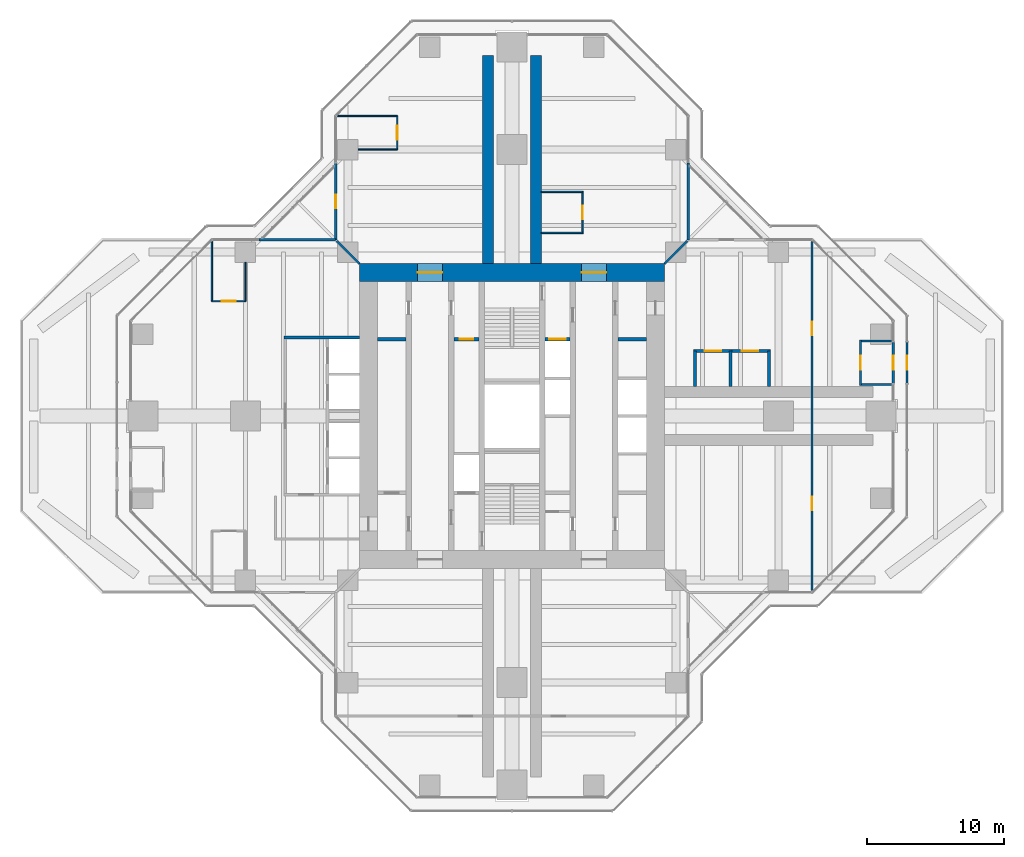
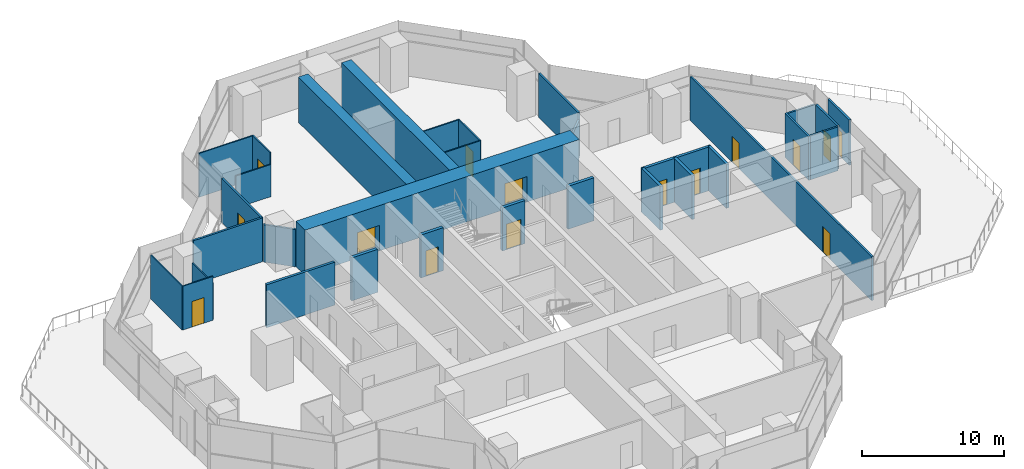
# One storey, part 16 of 19: 33 walls, 15 doors, 15 openings.
"""IFC4 building model written with IfcOpenShell, lengths in metres."""

from ifc_helpers import new_model, si_unit, direction, frame, frame_2d, origin, place, context, subcontext, project, spatial, rectangle, extrude, material, layer, layer_set, type_object, element, fill, save


model = new_model("IFC4")

# Units and contexts
model_context = context("Model", 3, precision=1e-05, world=origin(), true_north=direction((0.0, 1.0)))
body_context = subcontext(model_context, "Body", "Model", "MODEL_VIEW")
ifc_project = project(units=[si_unit("LENGTHUNIT", "METRE"), si_unit("AREAUNIT", "SQUARE_METRE"), si_unit("VOLUMEUNIT", "CUBIC_METRE"), si_unit("PLANEANGLEUNIT", "RADIAN"), si_unit("MASSUNIT", "GRAM", prefix="KILO")], contexts=[model_context])

# Site, building, storey
site_placement = place(None, origin())
site = spatial("IfcSite", under=ifc_project, at=site_placement, CompositionType="ELEMENT")
building_placement = place(site_placement, origin())
building = spatial("IfcBuilding", under=site, at=building_placement, Name="Mizan Broadcast Tower", CompositionType="ELEMENT")
storey_placement = place(building_placement, frame((0.0, 0.0, 204.89990234375)))
storey = spatial("IfcBuildingStorey", under=building, at=storey_placement, Name="L47", CompositionType="ELEMENT", Elevation=204.89990234375)

# Wall, openings, doors
ifc_material_1 = material(Name="Concrete C70/85", Category="concrete")
ifc_layer_1 = layer(ifc_material_1, 1.300048828125)
ifc_layer_set_1 = layer_set([ifc_layer_1], Name="Concrete C70/85")
wall_type_1 = type_object("IfcWallType", Name="CORE WALL 1300", PredefinedType="SHEAR", material=ifc_layer_set_1)
wall_1_placement = place(storey_placement, frame((-11.14990234375, 10.5, 0.0), z_axis=(0.0, 0.0, 1.0), x_axis=(1.0, 0.0, 0.0)))
wall_1 = element("IfcWall", 1, at=wall_1_placement, inside=storey, type_object=wall_type_1, Name="Core wall N L47", PredefinedType="SHEAR", context=body_context, shape_type="SweptSolid", body=[
    extrude(rectangle(XDim=22.2998046875, YDim=1.300048828125, at=frame_2d((11.14990234375, 0.0))), origin(), (0.0, 0.0, 1.0), 3.900146484375),
])
opening_1_placement = place(wall_1_placement, frame((4.25, 0.0, 0.0)))
opening_1 = element("IfcOpeningElement", 2, at=opening_1_placement, cuts=wall_1, Name="Opening D18F", PredefinedType="OPENING", context=body_context, shape_type="SweptSolid", body=[
    extrude(rectangle(XDim=1.800048828125, YDim=2.199951171875, at=frame_2d((0.89990234375, 1.10009765625))), frame((0.0, 0.659912109375, 0.0), z_axis=(0.0, -1.0, 0.0), x_axis=(1.0, 0.0, 0.0)), (0.0, 0.0, 1.0), 1.320068359375),
])
opening_2_placement = place(wall_1_placement, frame((16.25, 0.0, 0.0)))
opening_2 = element("IfcOpeningElement", 3, at=opening_2_placement, cuts=wall_1, Name="Opening D18F", PredefinedType="OPENING", context=body_context, shape_type="SweptSolid", body=[
    extrude(rectangle(XDim=1.800048828125, YDim=2.199951171875, at=frame_2d((0.89990234375, 1.10009765625))), frame((0.0, 0.659912109375, 0.0), z_axis=(0.0, -1.0, 0.0), x_axis=(1.0, 0.0, 0.0)), (0.0, 0.0, 1.0), 1.320068359375),
])
ifc_material_2 = material(Name="Steel door leaf in steel frame", Category="steel")
door_type_1 = type_object("IfcDoorType", Name="LOBBY DOUBLE DOOR 1800 FD90", OperationType="DOUBLE_DOOR_DOUBLE_SWING", PredefinedType="DOOR", material=ifc_material_2)
door_1_placement = place(opening_1_placement, origin())
door_1 = element("IfcDoor", 4, at=door_1_placement, inside=storey, type_object=door_type_1, Name="West lift lobby north door", OperationType="DOUBLE_DOOR_DOUBLE_SWING", OverallHeight=2.199951171875, OverallWidth=1.800048828125, PredefinedType="DOOR", context=body_context, shape_type="SweptSolid", body=[
    extrude(rectangle(XDim=1.800048828125, YDim=2.199951171875, at=frame_2d((0.89990234375, 1.10009765625))), frame((0.0, 0.02490234375, 0.0), z_axis=(0.0, -1.0, 0.0), x_axis=(1.0, 0.0, 0.0)), (0.0, 0.0, 1.0), 0.050048828125),
])
fill(opening_1, door_1)
door_2_placement = place(opening_2_placement, origin())
door_2 = element("IfcDoor", 5, at=door_2_placement, inside=storey, type_object=door_type_1, Name="East lift lobby north door", OperationType="DOUBLE_DOOR_DOUBLE_SWING", OverallHeight=2.199951171875, OverallWidth=1.800048828125, PredefinedType="DOOR", context=body_context, shape_type="SweptSolid", body=[
    extrude(rectangle(XDim=1.800048828125, YDim=2.199951171875, at=frame_2d((0.89990234375, 1.10009765625))), frame((0.0, 0.02490234375, 0.0), z_axis=(0.0, -1.0, 0.0), x_axis=(1.0, 0.0, 0.0)), (0.0, 0.0, 1.0), 0.050048828125),
])
fill(opening_2, door_2)

# Wall, opening, door
ifc_material_3 = material(Name="Aluminium framed glazed screen", Category="aluminium")
ifc_layer_2 = layer(ifc_material_3, 0.159912109375)
ifc_layer_set_2 = layer_set([ifc_layer_2], Name="Aluminium framed glazed screen")
wall_type_2 = type_object("IfcWallType", Name="GLAZED SCREEN WALL 160", PredefinedType="SOLIDWALL", material=ifc_layer_set_2)
wall_2_placement = place(storey_placement, frame((27.89990234375, 2.39990234375, 0.0), z_axis=(0.0, 0.0, 1.0), x_axis=(0.0, 1.0, 0.0)))
wall_2 = element("IfcWall", 6, at=wall_2_placement, inside=storey, type_object=wall_type_2, Name="Roof access screen wall L47 E", PredefinedType="SOLIDWALL", context=body_context, shape_type="SweptSolid", body=[
    extrude(rectangle(XDim=3.0, YDim=0.159912109375, at=frame_2d((1.5, 0.0))), origin(), (0.0, 0.0, 1.0), 3.77001953125),
])
opening_3_placement = place(wall_2_placement, frame((1.0, 0.0, 0.0)))
opening_3 = element("IfcOpeningElement", 7, at=opening_3_placement, cuts=wall_2, Name="Opening RA", PredefinedType="OPENING", context=body_context, shape_type="SweptSolid", body=[
    extrude(rectangle(XDim=1.0, YDim=2.199951171875, at=frame_2d((0.5, 1.10009765625))), frame((0.0, 0.08984375, 0.0), z_axis=(0.0, -1.0, 0.0), x_axis=(1.0, 0.0, 0.0)), (0.0, 0.0, 1.0), 0.179931640625),
])
ifc_material_4 = material(Name="Steel door", Category="steel")
door_type_2 = type_object("IfcDoorType", Name="ROOF ACCESS DOOR 1000", OperationType="SINGLE_SWING_LEFT", PredefinedType="DOOR", material=ifc_material_4)
door_3_placement = place(opening_3_placement, origin())
door_3 = element("IfcDoor", 8, at=door_3_placement, inside=storey, type_object=door_type_2, Name="Roof access door L47 E", OperationType="SINGLE_SWING_LEFT", OverallHeight=2.199951171875, OverallWidth=1.0, PredefinedType="DOOR", context=body_context, shape_type="SweptSolid", body=[
    extrude(rectangle(XDim=1.0, YDim=2.199951171875, at=frame_2d((0.5, 1.10009765625))), frame((0.0, 0.02490234375, 0.0), z_axis=(0.0, -1.0, 0.0), x_axis=(1.0, 0.0, 0.0)), (0.0, 0.0, 1.0), 0.050048828125),
])
fill(opening_3, door_3)

# Wall
wall_3_placement = place(storey_placement, frame((12.89990234375, 12.89990234375, 0.0), z_axis=(0.0, 0.0, 1.0), x_axis=(0.0, 1.0, 0.0)))
element("IfcWall", 9, at=wall_3_placement, inside=storey, type_object=wall_type_2, Name="Winter garden screen L47 N", PredefinedType="SOLIDWALL", context=body_context, shape_type="SweptSolid", body=[
    extrude(rectangle(XDim=5.60009765625, YDim=0.159912109375, at=frame_2d((2.800048828125, 0.0))), origin(), (0.0, 0.0, 1.0), 3.77001953125),
])

# Wall, opening, door
wall_4_placement = place(storey_placement, frame((-12.89990234375, 18.5, 0.0), z_axis=(0.0, 0.0, 1.0), x_axis=(0.0, -1.0, 0.0)))
wall_4 = element("IfcWall", 10, at=wall_4_placement, inside=storey, type_object=wall_type_2, Name="Winter garden screen L47 N", PredefinedType="SOLIDWALL", context=body_context, shape_type="SweptSolid", body=[
    extrude(rectangle(XDim=5.60009765625, YDim=0.159912109375, at=frame_2d((2.800048828125, 0.0))), origin(), (0.0, 0.0, 1.0), 3.77001953125),
])
opening_4_placement = place(wall_4_placement, frame((2.300048828125, 0.0, 0.0)))
opening_4 = element("IfcOpeningElement", 11, at=opening_4_placement, cuts=wall_4, Name="Opening WGD", PredefinedType="OPENING", context=body_context, shape_type="SweptSolid", body=[
    extrude(rectangle(XDim=1.0, YDim=2.199951171875, at=frame_2d((0.5, 1.10009765625))), frame((0.0, 0.08984375, 0.0), z_axis=(0.0, -1.0, 0.0), x_axis=(1.0, 0.0, 0.0)), (0.0, 0.0, 1.0), 0.179931640625),
])
ifc_material_5 = material(Name="Aluminium framed glazed door", Category="aluminium")
door_type_3 = type_object("IfcDoorType", Name="WINTER GARDEN DOOR 1000 GLAZED", OperationType="SINGLE_SWING_LEFT", PredefinedType="DOOR", material=ifc_material_5)
door_4_placement = place(opening_4_placement, origin())
door_4 = element("IfcDoor", 12, at=door_4_placement, inside=storey, type_object=door_type_3, Name="Winter garden door L47 N", OperationType="SINGLE_SWING_RIGHT", OverallHeight=2.199951171875, OverallWidth=1.0, PredefinedType="DOOR", context=body_context, shape_type="SweptSolid", body=[
    extrude(rectangle(XDim=1.0, YDim=2.199951171875, at=frame_2d((0.5, 1.10009765625))), frame((0.0, 0.02490234375, 0.0), z_axis=(0.0, -1.0, 0.0), x_axis=(1.0, 0.0, 0.0)), (0.0, 0.0, 1.0), 0.050048828125),
])
fill(opening_4, door_4)

# Walls
wall_5_placement = place(storey_placement, frame((-12.89990234375, 12.89990234375, 0.0), z_axis=(0.0, 0.0, 1.0), x_axis=(-1.0, 0.0, 0.0)))
element("IfcWall", 13, at=wall_5_placement, inside=storey, type_object=wall_type_2, Name="Winter garden screen L47 W", PredefinedType="SOLIDWALL", context=body_context, shape_type="SweptSolid", body=[
    extrude(rectangle(XDim=5.60009765625, YDim=0.159912109375, at=frame_2d((2.800048828125, 0.0))), origin(), (0.0, 0.0, 1.0), 3.77001953125),
])
ifc_material_6 = material(Name="Concrete blockwork", Category="masonry")
ifc_layer_3 = layer(ifc_material_6, 0.199951171875)
ifc_layer_set_3 = layer_set([ifc_layer_3], Name="Concrete blockwork")
wall_type_3 = type_object("IfcWallType", Name="LIFT SHAFT WALL 200", PredefinedType="SOLIDWALL", material=ifc_layer_set_3)
wall_6_placement = place(storey_placement, frame((-11.14990234375, 5.75, 0.0), z_axis=(0.0, 0.0, 1.0), x_axis=(-1.0, 0.0, 0.0)))
element("IfcWall", 14, at=wall_6_placement, inside=storey, type_object=wall_type_3, Name="Lift shaft wall LC/S1", PredefinedType="SOLIDWALL", context=body_context, shape_type="SweptSolid", body=[
    extrude(rectangle(XDim=5.550048828125, YDim=0.199951171875, at=frame_2d((2.77490234375, 0.0))), origin(), (0.0, 0.0, 1.0), 3.7001953125),
])
ifc_material_7 = material(Name="Concrete blockwork", Category="masonry")
ifc_layer_4 = layer(ifc_material_7, 0.25)
ifc_layer_set_4 = layer_set([ifc_layer_4], Name="Concrete blockwork")
wall_type_4 = type_object("IfcWallType", Name="LOBBY ENCLOSURE WALL 250", PredefinedType="SOLIDWALL", material=ifc_layer_set_4)
wall_7_placement = place(storey_placement, frame((-9.85009765625, 5.625, 0.0), z_axis=(0.0, 0.0, 1.0), x_axis=(1.0, 0.0, 0.0)))
element("IfcWall", 15, at=wall_7_placement, inside=storey, type_object=wall_type_4, Name="Lobby enclosure wall CORE/BW1N", PredefinedType="SOLIDWALL", context=body_context, shape_type="SweptSolid", body=[
    extrude(rectangle(XDim=2.10009765625, YDim=0.25, at=frame_2d((1.050048828125, 0.0))), origin(), (0.0, 0.0, 1.0), 3.7001953125),
])

# Wall, opening, door
wall_8_placement = place(storey_placement, frame((-4.25, 5.625, 0.0), z_axis=(0.0, 0.0, 1.0), x_axis=(1.0, 0.0, 0.0)))
wall_8 = element("IfcWall", 16, at=wall_8_placement, inside=storey, type_object=wall_type_4, Name="Lobby enclosure wall CORE/BW2N", PredefinedType="SOLIDWALL", context=body_context, shape_type="SweptSolid", body=[
    extrude(rectangle(XDim=1.85009765625, YDim=0.25, at=frame_2d((0.925048828125, 0.0))), origin(), (0.0, 0.0, 1.0), 3.7001953125),
])
opening_5_placement = place(wall_8_placement, frame((0.425048828125, 0.0, 0.0)))
opening_5 = element("IfcOpeningElement", 17, at=opening_5_placement, cuts=wall_8, Name="Opening D10F", PredefinedType="OPENING", context=body_context, shape_type="SweptSolid", body=[
    extrude(rectangle(XDim=1.0, YDim=2.199951171875, at=frame_2d((0.5, 1.10009765625))), frame((0.0, 0.135009765625, 0.0), z_axis=(0.0, -1.0, 0.0), x_axis=(1.0, 0.0, 0.0)), (0.0, 0.0, 1.0), 0.27001953125),
])
ifc_material_8 = material(Name="Steel door leaf in steel frame", Category="steel")
door_type_4 = type_object("IfcDoorType", Name="FIRE DOOR 1000 FD90", OperationType="SINGLE_SWING_LEFT", PredefinedType="DOOR", material=ifc_material_8)
door_5_placement = place(opening_5_placement, origin())
door_5 = element("IfcDoor", 18, at=door_5_placement, inside=storey, type_object=door_type_4, Name="Accessible shower room door", OperationType="SINGLE_SWING_RIGHT", OverallHeight=2.199951171875, OverallWidth=1.0, PredefinedType="DOOR", context=body_context, shape_type="SweptSolid", body=[
    extrude(rectangle(XDim=1.0, YDim=2.199951171875, at=frame_2d((0.5, 1.10009765625))), frame((0.0, 0.02490234375, 0.0), z_axis=(0.0, -1.0, 0.0), x_axis=(1.0, 0.0, 0.0)), (0.0, 0.0, 1.0), 0.050048828125),
])
fill(opening_5, door_5)

wall_9_placement = place(storey_placement, frame((2.39990234375, 5.625, 0.0), z_axis=(0.0, 0.0, 1.0), x_axis=(1.0, 0.0, 0.0)))
wall_9 = element("IfcWall", 19, at=wall_9_placement, inside=storey, type_object=wall_type_4, Name="Lobby enclosure wall CORE/BE2N", PredefinedType="SOLIDWALL", context=body_context, shape_type="SweptSolid", body=[
    extrude(rectangle(XDim=1.85009765625, YDim=0.25, at=frame_2d((0.925048828125, 0.0))), origin(), (0.0, 0.0, 1.0), 3.7001953125),
])
opening_6_placement = place(wall_9_placement, frame((0.324951171875, 0.0, 0.0)))
opening_6 = element("IfcOpeningElement", 20, at=opening_6_placement, cuts=wall_9, Name="Opening LDF", PredefinedType="OPENING", context=body_context, shape_type="SweptSolid", body=[
    extrude(rectangle(XDim=1.199951171875, YDim=2.199951171875, at=frame_2d((0.60009765625, 1.10009765625))), frame((0.0, 0.135009765625, 0.0), z_axis=(0.0, -1.0, 0.0), x_axis=(1.0, 0.0, 0.0)), (0.0, 0.0, 1.0), 0.27001953125),
])
ifc_material_9 = material(Name="Steel door leaf in steel frame", Category="steel")
door_type_5 = type_object("IfcDoorType", Name="FIREFIGHTING LIFT LANDING DOOR 1200", OperationType="SLIDING_TO_LEFT", PredefinedType="DOOR", material=ifc_material_9)
door_6_placement = place(opening_6_placement, origin())
door_6 = element("IfcDoor", 21, at=door_6_placement, inside=storey, type_object=door_type_5, Name="Landing door FF2", OperationType="SLIDING_TO_LEFT", OverallHeight=2.199951171875, OverallWidth=1.199951171875, PredefinedType="DOOR", context=body_context, shape_type="SweptSolid", body=[
    extrude(rectangle(XDim=1.199951171875, YDim=2.199951171875, at=frame_2d((0.60009765625, 1.10009765625))), frame((0.0, 0.02490234375, 0.0), z_axis=(0.0, -1.0, 0.0), x_axis=(1.0, 0.0, 0.0)), (0.0, 0.0, 1.0), 0.050048828125),
])
fill(opening_6, door_6)

# Wall
wall_10_placement = place(storey_placement, frame((7.75, 5.625, 0.0), z_axis=(0.0, 0.0, 1.0), x_axis=(1.0, 0.0, 0.0)))
element("IfcWall", 22, at=wall_10_placement, inside=storey, type_object=wall_type_4, Name="Lobby enclosure wall CORE/BE1N", PredefinedType="SOLIDWALL", context=body_context, shape_type="SweptSolid", body=[
    extrude(rectangle(XDim=2.10009765625, YDim=0.25, at=frame_2d((1.050048828125, 0.0))), origin(), (0.0, 0.0, 1.0), 3.7001953125),
])

# Wall, opening, door
ifc_material_10 = material(Name="Aluminium framed glazed screen", Category="aluminium")
ifc_layer_5 = layer(ifc_material_10, 0.159912109375)
ifc_layer_set_5 = layer_set([ifc_layer_5], Name="Aluminium framed glazed screen")
wall_type_5 = type_object("IfcWallType", Name="OUTER SKIN DOOR SCREEN 160", PredefinedType="SOLIDWALL", material=ifc_layer_set_5)
wall_11_placement = place(storey_placement, frame((28.89990234375, 5.39990234375, 0.0), z_axis=(0.0, 0.0, 1.0), x_axis=(0.0, -1.0, 0.0)))
wall_11 = element("IfcWall", 23, at=wall_11_placement, inside=storey, type_object=wall_type_5, Name="Outer skin roof access screen L47 E", PredefinedType="SOLIDWALL", context=body_context, shape_type="SweptSolid", body=[
    extrude(rectangle(XDim=3.0, YDim=0.159912109375, at=frame_2d((1.5, 0.0))), origin(), (0.0, 0.0, 1.0), 3.900146484375),
])
opening_7_placement = place(wall_11_placement, frame((1.0, 0.0, 0.0)))
opening_7 = element("IfcOpeningElement", 24, at=opening_7_placement, cuts=wall_11, Name="Opening RA", PredefinedType="OPENING", context=body_context, shape_type="SweptSolid", body=[
    extrude(rectangle(XDim=1.0, YDim=2.199951171875, at=frame_2d((0.5, 1.10009765625))), frame((0.0, 0.08984375, 0.0), z_axis=(0.0, -1.0, 0.0), x_axis=(1.0, 0.0, 0.0)), (0.0, 0.0, 1.0), 0.179931640625),
])
door_7_placement = place(opening_7_placement, origin())
door_7 = element("IfcDoor", 25, at=door_7_placement, inside=storey, type_object=door_type_2, Name="Roof access door L47 E outer skin", OperationType="SINGLE_SWING_RIGHT", OverallHeight=2.199951171875, OverallWidth=1.0, PredefinedType="DOOR", context=body_context, shape_type="SweptSolid", body=[
    extrude(rectangle(XDim=1.0, YDim=2.199951171875, at=frame_2d((0.5, 1.10009765625))), frame((0.0, 0.02490234375, 0.0), z_axis=(0.0, -1.0, 0.0), x_axis=(1.0, 0.0, 0.0)), (0.0, 0.0, 1.0), 0.050048828125),
])
fill(opening_7, door_7)

# Wall, openings, doors
ifc_material_11 = material(Name="Gypsum board on steel studs", Category="steel")
ifc_layer_6 = layer(ifc_material_11, 0.14990234375)
ifc_layer_set_6 = layer_set([ifc_layer_6], Name="Gypsum board on steel studs")
wall_type_6 = type_object("IfcWallType", Name="PARTITION 150", PredefinedType="PARTITIONING", material=ifc_layer_set_6)
wall_12_placement = place(storey_placement, frame((21.958984375, -12.786376953125, 0.0), z_axis=(0.0, 0.0, 1.0), x_axis=(0.0, 1.0, 0.0)))
wall_12 = element("IfcWall", 26, at=wall_12_placement, inside=storey, type_object=wall_type_6, Name="Partition PT/EX1", PredefinedType="PARTITIONING", context=body_context, shape_type="SweptSolid", body=[
    extrude(rectangle(XDim=25.57275390625, YDim=0.14990234375, at=frame_2d((12.786376953125, 0.0))), origin(), (0.0, 0.0, 1.0), 3.77001953125),
])
opening_8_placement = place(wall_12_placement, frame((18.6865234375, 0.0, 0.0)))
opening_8 = element("IfcOpeningElement", 27, at=opening_8_placement, cuts=wall_12, Name="Opening D10", PredefinedType="OPENING", context=body_context, shape_type="SweptSolid", body=[
    extrude(rectangle(XDim=1.0, YDim=2.199951171875, at=frame_2d((0.5, 1.10009765625))), frame((0.0, 0.0849609375, 0.0), z_axis=(0.0, -1.0, 0.0), x_axis=(1.0, 0.0, 0.0)), (0.0, 0.0, 1.0), 0.169921875),
])
opening_9_placement = place(wall_12_placement, frame((5.886474609375, 0.0, 0.0)))
opening_9 = element("IfcOpeningElement", 28, at=opening_9_placement, cuts=wall_12, Name="Opening D10", PredefinedType="OPENING", context=body_context, shape_type="SweptSolid", body=[
    extrude(rectangle(XDim=1.0, YDim=2.199951171875, at=frame_2d((0.5, 1.10009765625))), frame((0.0, 0.0849609375, 0.0), z_axis=(0.0, -1.0, 0.0), x_axis=(1.0, 0.0, 0.0)), (0.0, 0.0, 1.0), 0.169921875),
])
ifc_material_12 = material(Name="Timber door leaf in aluminium frame", Category="wood")
door_type_6 = type_object("IfcDoorType", Name="ROOM DOOR 1000", OperationType="SINGLE_SWING_LEFT", PredefinedType="DOOR", material=ifc_material_12)
door_8_placement = place(opening_8_placement, origin())
door_8 = element("IfcDoor", 29, at=door_8_placement, inside=storey, type_object=door_type_6, Name="Meeting room door", OperationType="SINGLE_SWING_RIGHT", OverallHeight=2.199951171875, OverallWidth=1.0, PredefinedType="DOOR", context=body_context, shape_type="SweptSolid", body=[
    extrude(rectangle(XDim=1.0, YDim=2.199951171875, at=frame_2d((0.5, 1.10009765625))), frame((0.0, 0.02490234375, 0.0), z_axis=(0.0, -1.0, 0.0), x_axis=(1.0, 0.0, 0.0)), (0.0, 0.0, 1.0), 0.050048828125),
])
fill(opening_8, door_8)
door_9_placement = place(opening_9_placement, origin())
door_9 = element("IfcDoor", 30, at=door_9_placement, inside=storey, type_object=door_type_6, Name="Meeting room door", OperationType="SINGLE_SWING_LEFT", OverallHeight=2.199951171875, OverallWidth=1.0, PredefinedType="DOOR", context=body_context, shape_type="SweptSolid", body=[
    extrude(rectangle(XDim=1.0, YDim=2.199951171875, at=frame_2d((0.5, 1.10009765625))), frame((0.0, 0.02490234375, 0.0), z_axis=(0.0, -1.0, 0.0), x_axis=(1.0, 0.0, 0.0)), (0.0, 0.0, 1.0), 0.050048828125),
])
fill(opening_9, door_9)

# Wall, opening, door
wall_13_placement = place(storey_placement, frame((25.4951171875, 2.22509765625, 0.0), z_axis=(0.0, 0.0, 1.0), x_axis=(0.0, 1.0, 0.0)))
wall_13 = element("IfcWall", 31, at=wall_13_placement, inside=storey, type_object=wall_type_6, Name="Partition PT/EFMU", PredefinedType="PARTITIONING", context=body_context, shape_type="SweptSolid", body=[
    extrude(rectangle(XDim=3.349853515625, YDim=0.14990234375, at=frame_2d((1.6748046875, 0.0))), origin(), (0.0, 0.0, 1.0), 3.77001953125),
])
opening_10_placement = place(wall_13_placement, frame((1.175048828125, 0.0, 0.0)))
opening_10 = element("IfcOpeningElement", 32, at=opening_10_placement, cuts=wall_13, Name="Opening D10O", PredefinedType="OPENING", context=body_context, shape_type="SweptSolid", body=[
    extrude(rectangle(XDim=1.0, YDim=2.199951171875, at=frame_2d((0.5, 1.10009765625))), frame((0.0, 0.0849609375, 0.0), z_axis=(0.0, -1.0, 0.0), x_axis=(1.0, 0.0, 0.0)), (0.0, 0.0, 1.0), 0.169921875),
])
ifc_material_13 = material(Name="Timber door leaf in aluminium frame", Category="wood")
door_type_7 = type_object("IfcDoorType", Name="OFFICE DOOR 1000 GLAZED", OperationType="SINGLE_SWING_LEFT", PredefinedType="DOOR", material=ifc_material_13)
door_10_placement = place(opening_10_placement, origin())
door_10 = element("IfcDoor", 33, at=door_10_placement, inside=storey, type_object=door_type_7, Name="Facade maintenance store E door", OperationType="SINGLE_SWING_LEFT", OverallHeight=2.199951171875, OverallWidth=1.0, PredefinedType="DOOR", context=body_context, shape_type="SweptSolid", body=[
    extrude(rectangle(XDim=1.0, YDim=2.199951171875, at=frame_2d((0.5, 1.10009765625))), frame((0.0, 0.02490234375, 0.0), z_axis=(0.0, -1.0, 0.0), x_axis=(1.0, 0.0, 0.0)), (0.0, 0.0, 1.0), 0.050048828125),
])
fill(opening_10, door_10)

# Walls
for number, where, z_axis, x_axis, name in (
    (34, (25.570068359375, 2.300048828125, 0.0), (0.0, 0.0, 1.0), (1.0, 0.0, 0.0), "Partition PT/EFMN"),
    (35, (25.570068359375, 5.5, 0.0), (0.0, 0.0, 1.0), (1.0, 0.0, 0.0), "Partition PT/EFMP"),
):
    element("IfcWall", number, at=place(storey_placement, frame(where, z_axis=z_axis, x_axis=x_axis)), inside=storey, type_object=wall_type_6, Name=name, PredefinedType="PARTITIONING", context=body_context, shape_type="SweptSolid", body=[
        extrude(rectangle(XDim=2.25, YDim=0.14990234375, at=frame_2d((1.125, 0.0))), origin(), (0.0, 0.0, 1.0), 3.77001953125),
    ])
for number, where, z_axis, x_axis, name in (
    (36, (11.14990234375, 11.14990234375, 0.0), (0.0, 0.0, 1.0), (0.707106781187, 0.707106781187, 0.0), "Partition PT/DGEN"),
    (37, (-11.14990234375, 11.14990234375, 0.0), (0.0, 0.0, 1.0), (-0.707106781187, 0.707106781187, 0.0), "Partition PT/DGWN"),
):
    element("IfcWall", number, at=place(storey_placement, frame(where, z_axis=z_axis, x_axis=x_axis)), inside=storey, type_object=wall_type_6, Name=name, PredefinedType="PARTITIONING", context=body_context, shape_type="SweptSolid", body=[
        extrude(rectangle(XDim=2.362060546875, YDim=0.14990234375, at=frame_2d((1.18115234375, 0.0))), origin(), (0.0, 0.0, 1.0), 3.22021484375),
    ])
ifc_material_14 = material(Name="Twin steel stud acoustic partition, four layers of gypsum board", Category="steel")
ifc_layer_7 = layer(ifc_material_14, 0.22509765625)
ifc_layer_set_7 = layer_set([ifc_layer_7], Name="Twin steel stud acoustic partition, four layers of gypsum board")
wall_type_7 = type_object("IfcWallType", Name="PARTITION ACOUSTIC 225", PredefinedType="PARTITIONING", material=ifc_layer_set_7)
for number, where, z_axis, x_axis, name in (
    (38, (13.39990234375, 2.14990234375, 0.0), (0.0, 0.0, 1.0), (0.0, 1.0, 0.0), "Acoustic partition PT/EKP0a"),
    (39, (16.0, 2.14990234375, 0.0), (0.0, 0.0, 1.0), (0.0, 1.0, 0.0), "Acoustic partition PT/EKP0b"),
):
    element("IfcWall", number, at=place(storey_placement, frame(where, z_axis=z_axis, x_axis=x_axis)), inside=storey, type_object=wall_type_7, Name=name, PredefinedType="PARTITIONING", context=body_context, shape_type="SweptSolid", body=[
        extrude(rectangle(XDim=2.60009765625, YDim=0.22509765625, at=frame_2d((1.300048828125, 0.0))), origin(), (0.0, 0.0, 1.0), 3.77001953125),
    ])

# Wall, opening, door
wall_14_placement = place(storey_placement, frame((13.28759765625, 4.75, 0.0), z_axis=(0.0, 0.0, 1.0), x_axis=(1.0, 0.0, 0.0)))
wall_14 = element("IfcWall", 40, at=wall_14_placement, inside=storey, type_object=wall_type_7, Name="Acoustic partition PT/EKP0f", PredefinedType="PARTITIONING", context=body_context, shape_type="SweptSolid", body=[
    extrude(rectangle(XDim=2.824951171875, YDim=0.22509765625, at=frame_2d((1.41259765625, 0.0))), origin(), (0.0, 0.0, 1.0), 3.77001953125),
])
opening_11_placement = place(wall_14_placement, frame((0.8125, 0.0, 0.0)))
opening_11 = element("IfcOpeningElement", 41, at=opening_11_placement, cuts=wall_14, Name="Opening D12A", PredefinedType="OPENING", context=body_context, shape_type="SweptSolid", body=[
    extrude(rectangle(XDim=1.199951171875, YDim=2.199951171875, at=frame_2d((0.60009765625, 1.10009765625))), frame((0.0, 0.12255859375, 0.0), z_axis=(0.0, -1.0, 0.0), x_axis=(1.0, 0.0, 0.0)), (0.0, 0.0, 1.0), 0.2451171875),
])
ifc_material_15 = material(Name="Timber door leaf in aluminium frame", Category="wood")
door_type_8 = type_object("IfcDoorType", Name="ACOUSTIC DOOR 1200", OperationType="SINGLE_SWING_LEFT", PredefinedType="DOOR", material=ifc_material_15)
door_11_placement = place(opening_11_placement, origin())
door_11 = element("IfcDoor", 42, at=door_11_placement, inside=storey, type_object=door_type_8, Name="Radio booth door", OperationType="SINGLE_SWING_LEFT", OverallHeight=2.199951171875, OverallWidth=1.199951171875, PredefinedType="DOOR", context=body_context, shape_type="SweptSolid", body=[
    extrude(rectangle(XDim=1.199951171875, YDim=2.199951171875, at=frame_2d((0.60009765625, 1.10009765625))), frame((0.0, 0.02490234375, 0.0), z_axis=(0.0, -1.0, 0.0), x_axis=(1.0, 0.0, 0.0)), (0.0, 0.0, 1.0), 0.050048828125),
])
fill(opening_11, door_11)

# Wall
wall_15_placement = place(storey_placement, frame((18.800048828125, 2.14990234375, 0.0), z_axis=(0.0, 0.0, 1.0), x_axis=(0.0, 1.0, 0.0)))
element("IfcWall", 43, at=wall_15_placement, inside=storey, type_object=wall_type_7, Name="Acoustic partition PT/EKP1b", PredefinedType="PARTITIONING", context=body_context, shape_type="SweptSolid", body=[
    extrude(rectangle(XDim=2.60009765625, YDim=0.22509765625, at=frame_2d((1.300048828125, 0.0))), origin(), (0.0, 0.0, 1.0), 3.77001953125),
])

# Wall, opening, door
wall_16_placement = place(storey_placement, frame((16.112548828125, 4.75, 0.0), z_axis=(0.0, 0.0, 1.0), x_axis=(1.0, 0.0, 0.0)))
wall_16 = element("IfcWall", 44, at=wall_16_placement, inside=storey, type_object=wall_type_7, Name="Acoustic partition PT/EKP1f", PredefinedType="PARTITIONING", context=body_context, shape_type="SweptSolid", body=[
    extrude(rectangle(XDim=2.800048828125, YDim=0.22509765625, at=frame_2d((1.39990234375, 0.0))), origin(), (0.0, 0.0, 1.0), 3.77001953125),
])
opening_12_placement = place(wall_16_placement, frame((0.6875, 0.0, 0.0)))
opening_12 = element("IfcOpeningElement", 45, at=opening_12_placement, cuts=wall_16, Name="Opening D12A", PredefinedType="OPENING", context=body_context, shape_type="SweptSolid", body=[
    extrude(rectangle(XDim=1.199951171875, YDim=2.199951171875, at=frame_2d((0.60009765625, 1.10009765625))), frame((0.0, 0.12255859375, 0.0), z_axis=(0.0, -1.0, 0.0), x_axis=(1.0, 0.0, 0.0)), (0.0, 0.0, 1.0), 0.2451171875),
])
door_12_placement = place(opening_12_placement, origin())
door_12 = element("IfcDoor", 46, at=door_12_placement, inside=storey, type_object=door_type_8, Name="Radio booth door", OperationType="SINGLE_SWING_LEFT", OverallHeight=2.199951171875, OverallWidth=1.199951171875, PredefinedType="DOOR", context=body_context, shape_type="SweptSolid", body=[
    extrude(rectangle(XDim=1.199951171875, YDim=2.199951171875, at=frame_2d((0.60009765625, 1.10009765625))), frame((0.0, 0.02490234375, 0.0), z_axis=(0.0, -1.0, 0.0), x_axis=(1.0, 0.0, 0.0)), (0.0, 0.0, 1.0), 0.050048828125),
])
fill(opening_12, door_12)

ifc_material_16 = material(Name="Glazed aluminium partition on aluminium track", Category="aluminium")
ifc_layer_8 = layer(ifc_material_16, 0.10009765625)
ifc_layer_set_8 = layer_set([ifc_layer_8], Name="Glazed aluminium partition on aluminium track")
wall_type_8 = type_object("IfcWallType", Name="PARTITION GLAZED OFFICE FRONT 100", PredefinedType="PARTITIONING", material=ifc_layer_set_8)
wall_17_placement = place(storey_placement, frame((-8.39990234375, 19.5, 0.0), z_axis=(0.0, 0.0, 1.0), x_axis=(0.0, 1.0, 0.0)))
wall_17 = element("IfcWall", 47, at=wall_17_placement, inside=storey, type_object=wall_type_8, Name="Glazed office front PT/NCP0", PredefinedType="PARTITIONING", context=body_context, shape_type="SweptSolid", body=[
    extrude(rectangle(XDim=2.458984375, YDim=0.10009765625, at=frame_2d((1.2294921875, 0.0))), origin(), (0.0, 0.0, 1.0), 3.77001953125),
])
opening_13_placement = place(wall_17_placement, frame((0.7294921875, 0.0, 0.0)))
opening_13 = element("IfcOpeningElement", 48, at=opening_13_placement, cuts=wall_17, Name="Opening D10O", PredefinedType="OPENING", context=body_context, shape_type="SweptSolid", body=[
    extrude(rectangle(XDim=1.0, YDim=2.199951171875, at=frame_2d((0.5, 1.10009765625))), frame((0.0, 0.06005859375, 0.0), z_axis=(0.0, -1.0, 0.0), x_axis=(1.0, 0.0, 0.0)), (0.0, 0.0, 1.0), 0.1201171875),
])
door_13_placement = place(opening_13_placement, origin())
door_13 = element("IfcDoor", 49, at=door_13_placement, inside=storey, type_object=door_type_7, Name="Producer's office door", OperationType="SINGLE_SWING_LEFT", OverallHeight=2.199951171875, OverallWidth=1.0, PredefinedType="DOOR", context=body_context, shape_type="SweptSolid", body=[
    extrude(rectangle(XDim=1.0, YDim=2.199951171875, at=frame_2d((0.5, 1.10009765625))), frame((0.0, 0.02490234375, 0.0), z_axis=(0.0, -1.0, 0.0), x_axis=(1.0, 0.0, 0.0)), (0.0, 0.0, 1.0), 0.050048828125),
])
fill(opening_13, door_13)

# Walls
wall_18_placement = place(storey_placement, frame((-8.39990234375, 19.5, 0.0), z_axis=(0.0, 0.0, 1.0), x_axis=(-1.0, 0.0, 0.0)))
element("IfcWall", 50, at=wall_18_placement, inside=storey, type_object=wall_type_8, Name="Glazed office front PT/NQP1950", PredefinedType="PARTITIONING", context=body_context, shape_type="SweptSolid", body=[
    extrude(rectangle(XDim=2.85009765625, YDim=0.10009765625, at=frame_2d((1.425048828125, 0.0))), origin(), (0.0, 0.0, 1.0), 2.77001953125),
])
wall_19_placement = place(storey_placement, frame((-8.39990234375, 21.958984375, 0.0), z_axis=(0.0, 0.0, 1.0), x_axis=(-1.0, 0.0, 0.0)))
element("IfcWall", 51, at=wall_19_placement, inside=storey, type_object=wall_type_8, Name="Glazed office front PT/NQP2196", PredefinedType="PARTITIONING", context=body_context, shape_type="SweptSolid", body=[
    extrude(rectangle(XDim=4.420166015625, YDim=0.10009765625, at=frame_2d((2.2099609375, 0.0))), origin(), (0.0, 0.0, 1.0), 3.77001953125),
])
for number, where, z_axis, x_axis, name in (
    (52, (2.14990234375, 13.39990234375, 0.0), (0.0, 0.0, 1.0), (1.0, 0.0, 0.0), "Glazed office front PT/NKN0a"),
    (53, (2.14990234375, 16.39990234375, 0.0), (0.0, 0.0, 1.0), (1.0, 0.0, 0.0), "Glazed office front PT/NKN0b"),
):
    element("IfcWall", number, at=place(storey_placement, frame(where, z_axis=z_axis, x_axis=x_axis)), inside=storey, type_object=wall_type_8, Name=name, PredefinedType="PARTITIONING", context=body_context, shape_type="SweptSolid", body=[
        extrude(rectangle(XDim=3.0, YDim=0.10009765625, at=frame_2d((1.5, 0.0))), origin(), (0.0, 0.0, 1.0), 3.77001953125),
    ])

# Wall, opening, door
wall_20_placement = place(storey_placement, frame((5.14990234375, 13.35009765625, 0.0), z_axis=(0.0, 0.0, 1.0), x_axis=(0.0, 1.0, 0.0)))
wall_20 = element("IfcWall", 54, at=wall_20_placement, inside=storey, type_object=wall_type_8, Name="Glazed office front PT/NKN0f", PredefinedType="PARTITIONING", context=body_context, shape_type="SweptSolid", body=[
    extrude(rectangle(XDim=3.099853515625, YDim=0.10009765625, at=frame_2d((1.5498046875, 0.0))), origin(), (0.0, 0.0, 1.0), 3.77001953125),
])
opening_14_placement = place(wall_20_placement, frame((1.050048828125, 0.0, 0.0)))
opening_14 = element("IfcOpeningElement", 55, at=opening_14_placement, cuts=wall_20, Name="Opening D10O", PredefinedType="OPENING", context=body_context, shape_type="SweptSolid", body=[
    extrude(rectangle(XDim=1.0, YDim=2.199951171875, at=frame_2d((0.5, 1.10009765625))), frame((0.0, 0.06005859375, 0.0), z_axis=(0.0, -1.0, 0.0), x_axis=(1.0, 0.0, 0.0)), (0.0, 0.0, 1.0), 0.1201171875),
])
door_14_placement = place(opening_14_placement, origin())
door_14 = element("IfcDoor", 56, at=door_14_placement, inside=storey, type_object=door_type_7, Name="Pantry door", OperationType="SINGLE_SWING_LEFT", OverallHeight=2.199951171875, OverallWidth=1.0, PredefinedType="DOOR", context=body_context, shape_type="SweptSolid", body=[
    extrude(rectangle(XDim=1.0, YDim=2.199951171875, at=frame_2d((0.5, 1.10009765625))), frame((0.0, 0.02490234375, 0.0), z_axis=(0.0, -1.0, 0.0), x_axis=(1.0, 0.0, 0.0)), (0.0, 0.0, 1.0), 0.050048828125),
])
fill(opening_14, door_14)

wall_21_placement = place(storey_placement, frame((-19.5, 8.39990234375, 0.0), z_axis=(0.0, 0.0, 1.0), x_axis=(-1.0, 0.0, 0.0)))
wall_21 = element("IfcWall", 57, at=wall_21_placement, inside=storey, type_object=wall_type_8, Name="Glazed office front PT/WCN0", PredefinedType="PARTITIONING", context=body_context, shape_type="SweptSolid", body=[
    extrude(rectangle(XDim=2.458984375, YDim=0.10009765625, at=frame_2d((1.2294921875, 0.0))), origin(), (0.0, 0.0, 1.0), 3.77001953125),
])
opening_15_placement = place(wall_21_placement, frame((0.7294921875, 0.0, 0.0)))
opening_15 = element("IfcOpeningElement", 58, at=opening_15_placement, cuts=wall_21, Name="Opening D10O", PredefinedType="OPENING", context=body_context, shape_type="SweptSolid", body=[
    extrude(rectangle(XDim=1.0, YDim=2.199951171875, at=frame_2d((0.5, 1.10009765625))), frame((0.0, 0.06005859375, 0.0), z_axis=(0.0, -1.0, 0.0), x_axis=(1.0, 0.0, 0.0)), (0.0, 0.0, 1.0), 0.1201171875),
])
door_15_placement = place(opening_15_placement, origin())
door_15 = element("IfcDoor", 59, at=door_15_placement, inside=storey, type_object=door_type_7, Name="Office door", OperationType="SINGLE_SWING_LEFT", OverallHeight=2.199951171875, OverallWidth=1.0, PredefinedType="DOOR", context=body_context, shape_type="SweptSolid", body=[
    extrude(rectangle(XDim=1.0, YDim=2.199951171875, at=frame_2d((0.5, 1.10009765625))), frame((0.0, 0.02490234375, 0.0), z_axis=(0.0, -1.0, 0.0), x_axis=(1.0, 0.0, 0.0)), (0.0, 0.0, 1.0), 0.050048828125),
])
fill(opening_15, door_15)

# Walls
wall_22_placement = place(storey_placement, frame((-19.5, 8.39990234375, 0.0), z_axis=(0.0, 0.0, 1.0), x_axis=(0.0, 1.0, 0.0)))
element("IfcWall", 60, at=wall_22_placement, inside=storey, type_object=wall_type_8, Name="Glazed office front PT/WQN1950", PredefinedType="PARTITIONING", context=body_context, shape_type="SweptSolid", body=[
    extrude(rectangle(XDim=2.85009765625, YDim=0.10009765625, at=frame_2d((1.425048828125, 0.0))), origin(), (0.0, 0.0, 1.0), 3.18017578125),
])
wall_23_placement = place(storey_placement, frame((-21.958984375, 8.39990234375, 0.0), z_axis=(0.0, 0.0, 1.0), x_axis=(0.0, 1.0, 0.0)))
element("IfcWall", 61, at=wall_23_placement, inside=storey, type_object=wall_type_8, Name="Glazed office front PT/WQN2196", PredefinedType="PARTITIONING", context=body_context, shape_type="SweptSolid", body=[
    extrude(rectangle(XDim=4.420166015625, YDim=0.10009765625, at=frame_2d((2.2099609375, 0.0))), origin(), (0.0, 0.0, 1.0), 3.77001953125),
])
ifc_material_17 = material(Name="Concrete C70/85", Category="concrete")
ifc_layer_9 = layer(ifc_material_17, 0.800048828125)
ifc_layer_set_9 = layer_set([ifc_layer_9], Name="Concrete C70/85")
wall_type_9 = type_object("IfcWallType", Name="SPINE WALL 800", PredefinedType="SHEAR", material=ifc_layer_set_9)
for number, where, z_axis, x_axis, name in (
    (62, (1.75, 11.14990234375, 0.0), (0.0, 0.0, 1.0), (0.0, 1.0, 0.0), "Spine wall NR L47"),
    (63, (-1.75, 11.14990234375, 0.0), (0.0, 0.0, 1.0), (0.0, 1.0, 0.0), "Spine wall NL L47"),
):
    element("IfcWall", number, at=place(storey_placement, frame(where, z_axis=z_axis, x_axis=x_axis)), inside=storey, type_object=wall_type_9, Name=name, PredefinedType="SHEAR", context=body_context, shape_type="SweptSolid", body=[
        extrude(rectangle(XDim=15.25, YDim=0.800048828125, at=frame_2d((7.625, 0.0))), origin(), (0.0, 0.0, 1.0), 3.900146484375),
    ])

save(model, "model.ifc")
